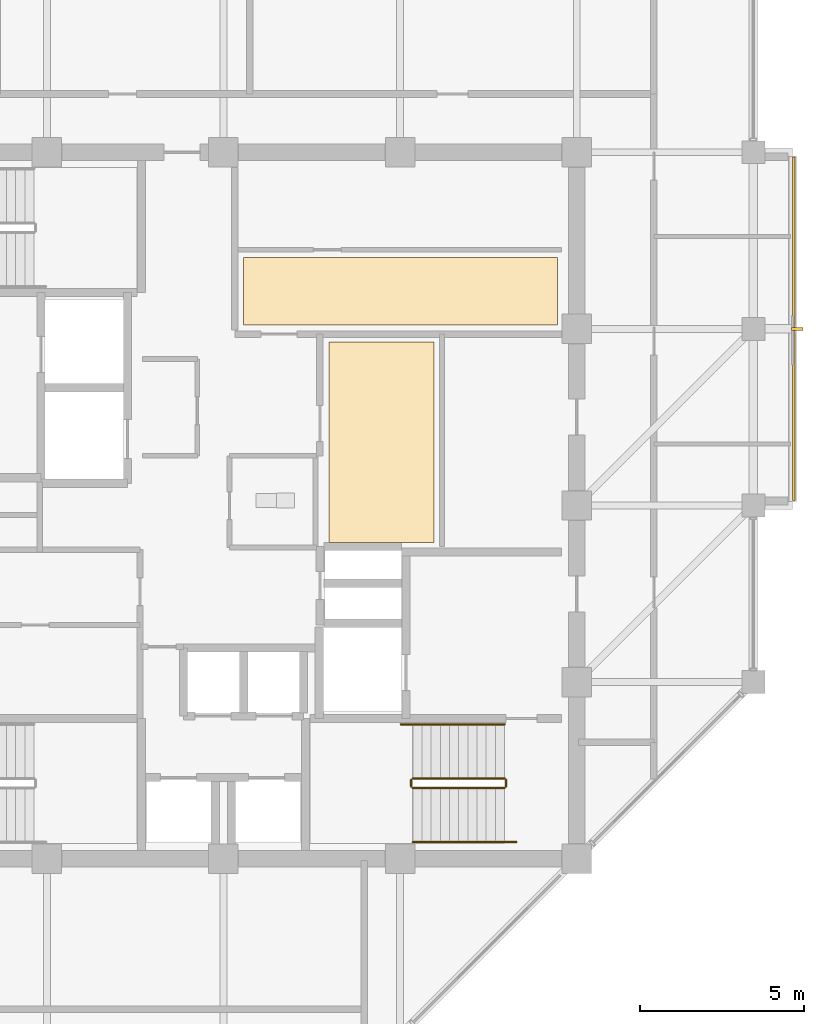
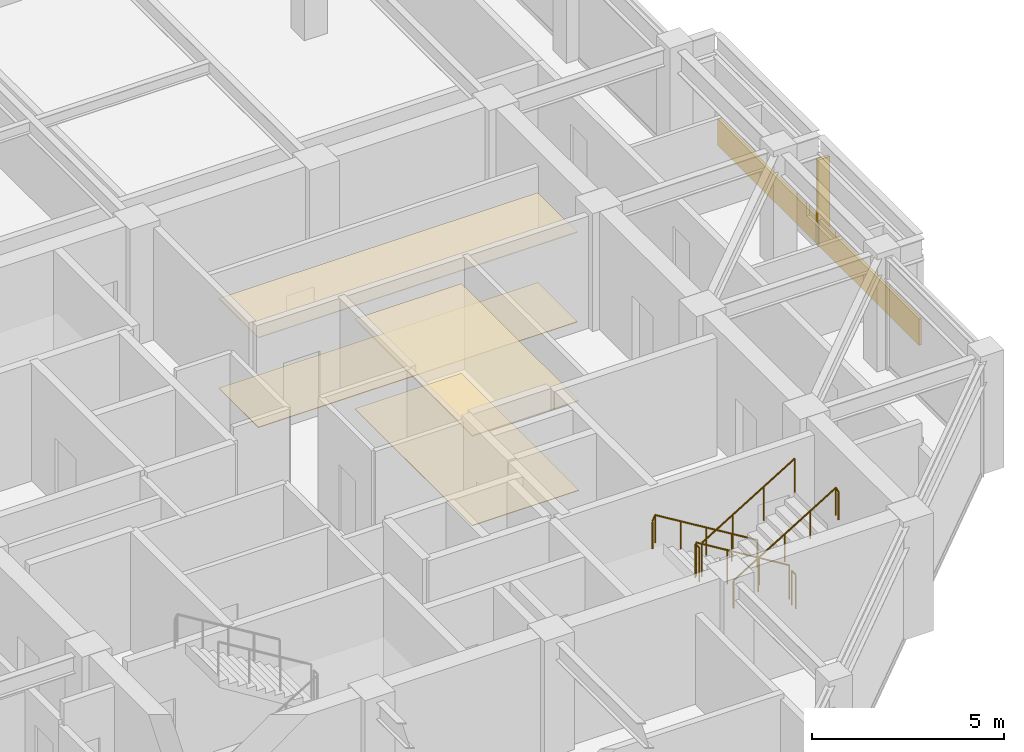
# One storey, part 28 of 29: 6 railings, 5 coverings, 1 shading device.
"""IFC4 building model written with IfcOpenShell, lengths in metres."""

import ifcopenshell
import ifcopenshell.guid

model = None  # the IFC model being written
_history = None  # IfcOwnerHistory: only IFC2X3 demands one
_inside = {}  # id of a spatial element -> (the spatial element, [elements in it])
_under = {}  # id of a project, library or spatial element -> (it, [spatial elements below it])
_declared = {}  # id of a project -> (the project, [libraries it declares])
_typed = {}  # id of a type object -> (the type object, [elements of that type])
_made_of = {}  # id of a material, layer set ... -> (it, [elements and type objects made of it])


def new_model(schema):
    """Start an empty IFC model of exactly this schema.

    Asked for "IFC4X3", IfcOpenShell would pick the latest addendum, in which some entities
    have other attributes; the version numbers below select the first issue.
    IFC2X3 requires an IfcOwnerHistory on every rooted entity: one is made here for all.
    """
    global model, _history
    if schema == "IFC4X3":
        model = ifcopenshell.file(schema_version=(4, 3, 0, 0))
    else:
        model = ifcopenshell.file(schema=schema)
    _inside.clear()
    _under.clear()
    _declared.clear()
    _typed.clear()
    _made_of.clear()
    _history = None
    if model.schema == "IFC2X3":
        org = make("IfcOrganization", Name="unknown")
        user = make(
            "IfcPersonAndOrganization",
            ThePerson=make("IfcPerson", FamilyName="unknown"),
            TheOrganization=org,
        )
        app = make(
            "IfcApplication",
            ApplicationDeveloper=org,
            Version="unknown",
            ApplicationFullName="unknown",
            ApplicationIdentifier="unknown",
        )
        _history = make(
            "IfcOwnerHistory",
            OwningUser=user,
            OwningApplication=app,
            ChangeAction="ADDED",
            CreationDate=0,
        )
    return model


def make(cls, **values):
    """One entity of the class cls with the attributes given. An attribute that is None is left unset."""
    return model.create_entity(
        cls, **{name: value for name, value in values.items() if value is not None}
    )


def rooted(cls, **values):
    """An entity with a GlobalId (a new one), such as an element, a storey or a relation."""
    return make(cls, GlobalId=ifcopenshell.guid.new(), OwnerHistory=_history, **values)


def si_unit(unit_type, name, prefix=None):
    """IfcSIUnit, for example si_unit("LENGTHUNIT", "METRE", prefix="MILLI")."""
    return make("IfcSIUnit", UnitType=unit_type, Prefix=prefix, Name=name)


def assignment(units):
    """IfcUnitAssignment: the units of a project."""
    return None if units is None else make("IfcUnitAssignment", Units=units)


def point(xyz):
    """IfcCartesianPoint."""
    return None if xyz is None else make("IfcCartesianPoint", Coordinates=xyz)


def direction(xyz):
    """IfcDirection."""
    return None if xyz is None else make("IfcDirection", DirectionRatios=xyz)


def frame(location, z_axis=None, x_axis=None):
    """IfcAxis2Placement3D, a coordinate frame: its origin and axes. An axis left out is left unset."""
    return make(
        "IfcAxis2Placement3D",
        Location=point(location),
        Axis=direction(z_axis),
        RefDirection=direction(x_axis),
    )


def frame_2d(location, x_axis=None):
    """IfcAxis2Placement2D, a coordinate frame in the plane: its origin and x axis."""
    return make(
        "IfcAxis2Placement2D", Location=point(location), RefDirection=direction(x_axis)
    )


def origin():
    """The frame at (0, 0, 0) with its axes left unset."""
    return frame((0.0, 0.0, 0.0))


def origin_2d():
    """The frame at (0, 0) in the plane with its x axis left unset."""
    return frame_2d((0.0, 0.0))


def place(relative_to, where):
    """IfcLocalPlacement: puts the frame where relative to a parent placement (None: the world)."""
    return make(
        "IfcLocalPlacement", PlacementRelTo=relative_to, RelativePlacement=where
    )


def context(
    kind, dimensions, precision=None, world=None, true_north=None, identifier=None
):
    """IfcGeometricRepresentationContext, for example the 3D "Model" context."""
    return make(
        "IfcGeometricRepresentationContext",
        ContextIdentifier=identifier,
        ContextType=kind,
        CoordinateSpaceDimension=dimensions,
        Precision=precision,
        WorldCoordinateSystem=world,
        TrueNorth=true_north,
    )


def subcontext(parent, identifier, kind, view, scale=None):
    """IfcGeometricRepresentationSubContext, for example "Body" below "Model"."""
    return make(
        "IfcGeometricRepresentationSubContext",
        ContextIdentifier=identifier,
        ContextType=kind,
        ParentContext=parent,
        TargetScale=scale,
        TargetView=view,
    )


def project(units=None, contexts=None):
    """IfcProject with its units and contexts."""
    return rooted(
        "IfcProject",
        Name="project",
        RepresentationContexts=contexts,
        UnitsInContext=assignment(units),
    )


def spatial(cls, under=None, at=None, **own):
    """A site, building, storey or space (cls), placed at a placement, below another one or the project."""
    s = rooted(cls, ObjectPlacement=at, **own)
    if under is not None:
        _under.setdefault(under.id(), (under, []))[1].append(s)
    return s


def polyline(points):
    """IfcPolyline through the points."""
    return make("IfcPolyline", Points=[point(p) for p in points])


def profile(cls, at=None, kind="AREA", **sizes):
    """A parametric profile (cls). Its sizes go by their IFC names, for example OverallWidth=200.0."""
    return make(cls, ProfileType=kind, Position=at, **sizes)


def rectangle(**sizes):
    """IfcRectangleProfileDef."""
    return profile("IfcRectangleProfileDef", **sizes)


def circle(**sizes):
    """IfcCircleProfileDef."""
    return profile("IfcCircleProfileDef", **sizes)


def outline(outer, holes=None, kind="AREA"):
    """IfcArbitraryClosedProfileDef: a profile drawn as a closed curve; with holes, ...WithVoids."""
    if holes is None:
        return make("IfcArbitraryClosedProfileDef", ProfileType=kind, OuterCurve=outer)
    return make(
        "IfcArbitraryProfileDefWithVoids",
        ProfileType=kind,
        OuterCurve=outer,
        InnerCurves=holes,
    )


def extrude(swept, where, along, depth):
    """IfcExtrudedAreaSolid: the profile swept, set in the frame where, extruded along a direction by depth."""
    return make(
        "IfcExtrudedAreaSolid",
        SweptArea=swept,
        Position=where,
        ExtrudedDirection=direction(along),
        Depth=depth,
    )


def shape(context_of_items, identifier, shape_type, items):
    """IfcShapeRepresentation: the items that make up one representation, for example the "Body"."""
    return make(
        "IfcShapeRepresentation",
        ContextOfItems=context_of_items,
        RepresentationIdentifier=identifier,
        RepresentationType=shape_type,
        Items=items,
    )


def material(Name=None, Category=None):
    """IfcMaterial."""
    return make("IfcMaterial", Name=Name, Category=Category)


def layer(
    of_material, thickness, ventilated=None, Name=None, Category=None, Priority=None
):
    """IfcMaterialLayer: one layer of a wall or slab, of a material (None: an air gap)."""
    return make(
        "IfcMaterialLayer",
        Material=of_material,
        LayerThickness=thickness,
        IsVentilated=ventilated,
        Name=Name,
        Category=Category,
        Priority=Priority,
    )


def layer_set(layers, Name=None):
    """IfcMaterialLayerSet."""
    return make("IfcMaterialLayerSet", MaterialLayers=layers, LayerSetName=Name)


def made_of(thing, what):
    """Note that an element or type object is made of a material, layer set ...; save() writes the relation."""
    if what is not None:
        _made_of.setdefault(what.id(), (what, []))[1].append(thing)
    return thing


def type_object(cls, material=None, **own):
    """A type object (cls), such as IfcWallType, which elements share."""
    return made_of(rooted(cls, **own), material)


def element(
    cls,
    number,
    at=None,
    inside=None,
    cuts=None,
    type_object=None,
    material=None,
    context=None,
    identifier="Body",
    shape_type=None,
    held_by="IfcProductDefinitionShape",
    body=None,
    shapes=None,
    **own,
):
    """One element of the class cls, such as IfcWall. Its Tag is "e" and its number.

    at: its placement. inside: the storey or other place that contains it. cuts: it is an
    opening in that element (IfcRelVoidsElement). A single representation is given by context,
    identifier, shape_type and body (its items); several are given by shapes. held_by: the class
    of the entity that holds the representations. save() writes the other relations.
    """
    e = rooted(cls, Tag="e%d" % number, ObjectPlacement=at, **own)
    if body is not None:
        shapes = [shape(context, identifier, shape_type, body)]
    if shapes is not None:
        e.Representation = make(held_by, Representations=shapes)
    if inside is not None:
        _inside.setdefault(inside.id(), (inside, []))[1].append(e)
    if cuts is not None:
        rooted(
            "IfcRelVoidsElement", RelatingBuildingElement=cuts, RelatedOpeningElement=e
        )
    if type_object is not None:
        _typed.setdefault(type_object.id(), (type_object, []))[1].append(e)
    return made_of(e, material)


def aggregate(whole, parts):
    """IfcRelAggregates: a whole, such as a stair, and the parts it consists of."""
    return rooted("IfcRelAggregates", RelatingObject=whole, RelatedObjects=parts)


def save(model, path):
    """Write the relations noted so far, then the file.

    IfcRelAggregates (storeys below a building ...), IfcRelContainedInSpatialStructure (elements
    in a storey), IfcRelDefinesByType, IfcRelAssociatesMaterial and IfcRelDeclares: one each for
    every whole, place, type object, material and project.
    """
    for whole, parts in _under.values():
        aggregate(whole, parts)
    for where, things in _inside.values():
        rooted(
            "IfcRelContainedInSpatialStructure",
            RelatedElements=things,
            RelatingStructure=where,
        )
    for kind, things in _typed.values():
        rooted("IfcRelDefinesByType", RelatedObjects=things, RelatingType=kind)
    for what, things in _made_of.values():
        rooted("IfcRelAssociatesMaterial", RelatedObjects=things, RelatingMaterial=what)
    for by, libraries in _declared.values():
        rooted("IfcRelDeclares", RelatingContext=by, RelatedDefinitions=libraries)
    model.write(path)


model = new_model("IFC4")

# Units and contexts
model_context = context("Model", 3, precision=1e-05, world=origin(), true_north=direction((0.0, 1.0)))
body_context = subcontext(model_context, "Body", "Model", "MODEL_VIEW")
ifc_project = project(units=[si_unit("LENGTHUNIT", "METRE"), si_unit("AREAUNIT", "SQUARE_METRE"), si_unit("VOLUMEUNIT", "CUBIC_METRE"), si_unit("PLANEANGLEUNIT", "RADIAN"), si_unit("MASSUNIT", "GRAM", prefix="KILO")], contexts=[model_context])

# Site, building, storey
site_placement = place(None, origin())
site = spatial("IfcSite", under=ifc_project, at=site_placement, CompositionType="ELEMENT")
building_placement = place(site_placement, origin())
building = spatial("IfcBuilding", under=site, at=building_placement, Name="Surkhivell Harbour Commons", CompositionType="ELEMENT")
storey_placement = place(building_placement, frame((0.0, 0.0, 273.75)))
storey = spatial("IfcBuildingStorey", under=building, at=storey_placement, Name="L71", CompositionType="ELEMENT", Elevation=273.75)

# Coverings
ifc_material_1 = material(Name="Perforated acoustic mineral-fibre ceiling tile", Category="other")
ifc_layer_1 = layer(ifc_material_1, 0.02490234375)
ifc_layer_set_1 = layer_set([ifc_layer_1], Name="Perforated acoustic mineral-fibre ceiling tile")
covering_type_1 = type_object("IfcCoveringType", Name="COV-CEIL-AC", PredefinedType="CEILING", material=ifc_layer_set_1)
covering_1_placement = place(storey_placement, frame((0.0, 0.0, 2.85205078125)))
element("IfcCovering", 1, at=covering_1_placement, inside=storey, type_object=covering_type_1, Name="L71 Suspended Acoustic Ceiling 1", PredefinedType="CEILING", context=body_context, shape_type="SweptSolid", body=[
    extrude(outline(polyline([(0.6201171875, 5.52001953125), (10.219970703125, 5.52001953125), (10.219970703125, 7.580078125), (0.6201171875, 7.580078125), (0.6201171875, 5.52001953125)])), origin(), (0.0, 0.0, 1.0), 0.02490234375),
])
ifc_material_2 = material(Name="Moisture-resistant gypsum acoustic ceiling board", Category="other")
ifc_layer_2 = layer(ifc_material_2, 0.030029296875)
ifc_layer_set_2 = layer_set([ifc_layer_2], Name="Moisture-resistant gypsum acoustic ceiling board")
covering_type_2 = type_object("IfcCoveringType", Name="COV-CEIL-GYP", PredefinedType="CEILING", material=ifc_layer_set_2)
covering_2_placement = place(storey_placement, frame((0.0, 0.0, 2.846923828125)))
element("IfcCovering", 2, at=covering_2_placement, inside=storey, type_object=covering_type_2, Name="L71 Suspended Acoustic Ceiling 2", PredefinedType="CEILING", context=body_context, shape_type="SweptSolid", body=[
    extrude(outline(polyline([(3.219970703125, -1.1298828125), (6.429931640625, -1.1298828125), (6.429931640625, 5.0), (3.219970703125, 5.0), (3.219970703125, -1.1298828125)])), origin(), (0.0, 0.0, 1.0), 0.030029296875),
])
ifc_material_3 = material(Name="Saffron-gold enamelled aluminium cassette panel", Category="aluminium")
ifc_layer_3 = layer(ifc_material_3, 0.070068359375)
ifc_layer_set_3 = layer_set([ifc_layer_3], Name="Saffron-gold enamelled aluminium cassette panel")
covering_type_3 = type_object("IfcCoveringType", Name="COV-CLAD-SAF", PredefinedType="CLADDING", material=ifc_layer_set_3)
covering_3_placement = place(storey_placement, frame((17.43994140625, 5.39990234375, 0.0), z_axis=(0.0, 0.0, 1.0), x_axis=(1.0, 0.0, 0.0)))
element("IfcCovering", 3, at=covering_3_placement, inside=storey, type_object=covering_type_3, Name="L71 Coloured-Panel Box Spandrel Cassette 01", PredefinedType="CLADDING", context=body_context, shape_type="SweptSolid", body=[
    extrude(rectangle(XDim=0.080078125, YDim=10.5, at=origin_2d()), origin(), (0.0, 0.0, 1.0), 0.840087890625),
])
ifc_material_4 = material(Name="Engineered acoustic oak timber flooring", Category="wood")
ifc_layer_4 = layer(ifc_material_4, 0.02001953125)
ifc_layer_set_4 = layer_set([ifc_layer_4], Name="Engineered acoustic oak timber flooring")
covering_type_4 = type_object("IfcCoveringType", Name="COV-FLR-TIM", PredefinedType="FLOORING", material=ifc_layer_set_4)
covering_4_placement = place(storey_placement, origin())
element("IfcCovering", 4, at=covering_4_placement, inside=storey, type_object=covering_type_4, Name="L71 Interior Floor Finish 1", PredefinedType="FLOORING", context=body_context, shape_type="SweptSolid", body=[
    extrude(outline(polyline([(0.6201171875, 5.52001953125), (10.219970703125, 5.52001953125), (10.219970703125, 7.580078125), (0.6201171875, 7.580078125), (0.6201171875, 5.52001953125)])), origin(), (0.0, 0.0, 1.0), 0.02001953125),
])
covering_5_placement = place(storey_placement, origin())
element("IfcCovering", 5, at=covering_5_placement, inside=storey, type_object=covering_type_4, Name="L71 Interior Floor Finish 2", PredefinedType="FLOORING", context=body_context, shape_type="SweptSolid", body=[
    extrude(outline(polyline([(3.219970703125, -1.1298828125), (6.429931640625, -1.1298828125), (6.429931640625, 5.0), (3.219970703125, 5.0), (3.219970703125, -1.1298828125)])), origin(), (0.0, 0.0, 1.0), 0.02001953125),
])

# Railings
ifc_material_5 = material(Name="Galvanised and painted steel S355 guard rail", Category="steel")
railing_type_1 = type_object("IfcRailingType", Name="RAL-ST-GRD1100", PredefinedType="GUARDRAIL", material=ifc_material_5)
railing_1_placement = place(storey_placement, frame((8.590087890625, -8.340087890625, 0.17041015625)))
element("IfcRailing", 6, at=railing_1_placement, inside=storey, type_object=railing_type_1, Name="L71 ST2 stair guard 1", PredefinedType="GUARDRAIL", context=body_context, shape_type="SweptSolid", body=[
    extrude(circle(Radius=0.02392578125, at=origin_2d()), frame((0.0, 0.0, 1.076171875), z_axis=(-0.854169791009, 0.0, 0.51999420009), x_axis=(0.0, -1.0, 0.0)), (0.0, 0.0, 1.0), 3.278076171875),
    extrude(circle(Radius=0.02099609375, at=origin_2d()), origin(), (0.0, 0.0, 1.0), 1.052001953125),
    extrude(circle(Radius=0.02099609375, at=origin_2d()), frame((-0.933349609375, 0.0, 0.568115234375)), (0.0, 0.0, 1.0), 1.052001953125),
    extrude(circle(Radius=0.02099609375, at=origin_2d()), frame((-1.86669921875, 0.0, 1.136474609375)), (0.0, 0.0, 1.0), 1.052001953125),
    extrude(circle(Radius=0.02099609375, at=origin_2d()), frame((-2.800048828125, 0.0, 1.70458984375)), (0.0, 0.0, 1.0), 1.052001953125),
])
railing_2_placement = place(storey_placement, frame((5.739990234375, -8.389892578125, 1.875)))
element("IfcRailing", 7, at=railing_2_placement, inside=storey, type_object=railing_type_1, Name="L71 ST2 stair guard 2", PredefinedType="GUARDRAIL", context=body_context, shape_type="SweptSolid", body=[
    extrude(circle(Radius=0.02392578125, at=origin_2d()), frame((0.0, 0.0, 1.076171875), z_axis=(0.0, -1.0, 0.0), x_axis=(1.0, 0.0, 0.0)), (0.0, 0.0, 1.0), 0.2001953125),
    extrude(circle(Radius=0.02099609375, at=origin_2d()), origin(), (0.0, 0.0, 1.0), 1.052001953125),
    extrude(circle(Radius=0.02099609375, at=origin_2d()), frame((0.0, -0.2001953125, 0.0)), (0.0, 0.0, 1.0), 1.052001953125),
])
railing_3_placement = place(storey_placement, frame((5.7900390625, -8.639892578125, 2.04541015625)))
element("IfcRailing", 8, at=railing_3_placement, inside=storey, type_object=railing_type_1, Name="L71 ST2 stair guard 3", PredefinedType="GUARDRAIL", context=body_context, shape_type="SweptSolid", body=[
    extrude(circle(Radius=0.02392578125, at=origin_2d()), frame((0.0, 0.0, 1.076171875), z_axis=(0.854169791009, 0.0, 0.51999420009), x_axis=(0.0, 1.0, 0.0)), (0.0, 0.0, 1.0), 3.278076171875),
    extrude(circle(Radius=0.02099609375, at=origin_2d()), origin(), (0.0, 0.0, 1.0), 1.052001953125),
    extrude(circle(Radius=0.02099609375, at=origin_2d()), frame((0.933349609375, 0.0, 0.568115234375)), (0.0, 0.0, 1.0), 1.052001953125),
    extrude(circle(Radius=0.02099609375, at=origin_2d()), frame((1.86669921875, 0.0, 1.136474609375)), (0.0, 0.0, 1.0), 1.052001953125),
    extrude(circle(Radius=0.02099609375, at=origin_2d()), frame((2.800048828125, 0.0, 1.70458984375)), (0.0, 0.0, 1.0), 1.052001953125),
])
railing_4_placement = place(storey_placement, frame((8.639892578125, -8.389892578125, 0.0)))
element("IfcRailing", 9, at=railing_4_placement, inside=storey, type_object=railing_type_1, Name="L71 ST2 stair guard 4", PredefinedType="GUARDRAIL", context=body_context, shape_type="SweptSolid", body=[
    extrude(circle(Radius=0.02392578125, at=origin_2d()), frame((0.0, 0.0, 1.076171875), z_axis=(0.0, -1.0, 0.0), x_axis=(1.0, 0.0, 0.0)), (0.0, 0.0, 1.0), 0.2001953125),
    extrude(circle(Radius=0.02099609375, at=origin_2d()), origin(), (0.0, 0.0, 1.0), 1.052001953125),
    extrude(circle(Radius=0.02099609375, at=origin_2d()), frame((0.0, -0.2001953125, 0.0)), (0.0, 0.0, 1.0), 1.052001953125),
])
ifc_material_6 = material(Name="Brushed stainless steel S355 handrail", Category="steel")
railing_type_2 = type_object("IfcRailingType", Name="RAL-ST-HND900", PredefinedType="HANDRAIL", material=ifc_material_6)
railing_5_placement = place(storey_placement, frame((8.590087890625, -6.68994140625, 0.17041015625)))
element("IfcRailing", 10, at=railing_5_placement, inside=storey, type_object=railing_type_2, Name="L71 ST2 stair handrail 1", PredefinedType="HANDRAIL", context=body_context, shape_type="SweptSolid", body=[
    extrude(circle(Radius=0.02392578125, at=origin_2d()), frame((0.0, 0.0, 0.8759765625), z_axis=(-0.854177636135, 0.0, 0.519981313056), x_axis=(0.0, -1.0, 0.0)), (0.0, 0.0, 1.0), 3.60595703125),
    extrude(circle(Radius=0.02392578125, at=origin_2d()), frame((-3.080078125, 0.0, 2.7509765625), z_axis=(-0.425297416671, 0.0, -0.905053648892), x_axis=(0.0, -1.0, 0.0)), (0.0, 0.0, 1.0), 0.188232421875),
    extrude(circle(Radius=0.02099609375, at=origin_2d()), origin(), (0.0, 0.0, 1.0), 0.851806640625),
    extrude(circle(Radius=0.02099609375, at=origin_2d()), frame((-0.77001953125, 0.0, 0.46875)), (0.0, 0.0, 1.0), 0.851806640625),
    extrude(circle(Radius=0.02099609375, at=origin_2d()), frame((-1.5400390625, 0.0, 0.9375)), (0.0, 0.0, 1.0), 0.851806640625),
    extrude(circle(Radius=0.02099609375, at=origin_2d()), frame((-2.31005859375, 0.0, 1.40625)), (0.0, 0.0, 1.0), 0.851806640625),
    extrude(circle(Radius=0.02099609375, at=origin_2d()), frame((-3.080078125, 0.0, 1.875)), (0.0, 0.0, 1.0), 0.851806640625),
    extrude(circle(Radius=0.02099609375, at=origin_2d()), frame((-3.16015625, 0.0, 1.70458984375)), (0.0, 0.0, 1.0), 0.851806640625),
])
railing_6_placement = place(storey_placement, frame((5.7900390625, -10.2900390625, 2.04541015625)))
element("IfcRailing", 11, at=railing_6_placement, inside=storey, type_object=railing_type_2, Name="L71 ST2 stair handrail 2", PredefinedType="HANDRAIL", context=body_context, shape_type="SweptSolid", body=[
    extrude(circle(Radius=0.02392578125, at=origin_2d()), frame((0.0, 0.0, 0.8759765625), z_axis=(0.854177636135, 0.0, 0.519981313056), x_axis=(0.0, 1.0, 0.0)), (0.0, 0.0, 1.0), 3.60595703125),
    extrude(circle(Radius=0.02392578125, at=origin_2d()), frame((3.080078125, 0.0, 2.7509765625), z_axis=(0.424234432967, 0.0, -0.905552398199), x_axis=(0.0, 1.0, 0.0)), (0.0, 0.0, 1.0), 0.188232421875),
    extrude(circle(Radius=0.02099609375, at=origin_2d()), origin(), (0.0, 0.0, 1.0), 0.851806640625),
    extrude(circle(Radius=0.02099609375, at=origin_2d()), frame((0.77001953125, 0.0, 0.46875)), (0.0, 0.0, 1.0), 0.851806640625),
    extrude(circle(Radius=0.02099609375, at=origin_2d()), frame((1.5400390625, 0.0, 0.9375)), (0.0, 0.0, 1.0), 0.851806640625),
    extrude(circle(Radius=0.02099609375, at=origin_2d()), frame((2.31005859375, 0.0, 1.40625)), (0.0, 0.0, 1.0), 0.851806640625),
    extrude(circle(Radius=0.02099609375, at=origin_2d()), frame((3.080078125, 0.0, 1.875)), (0.0, 0.0, 1.0), 0.851806640625),
    extrude(circle(Radius=0.02099609375, at=origin_2d()), frame((3.159912109375, 0.0, 1.70458984375)), (0.0, 0.0, 1.0), 0.851806640625),
])

# Shading device
ifc_material_7 = material(Name="Anodised pale-metal aluminium solar fin", Category="aluminium")
shading_device_type = type_object("IfcShadingDeviceType", Name="SHD-FIN-VERT", PredefinedType="USERDEFINED", material=ifc_material_7)
shading_device_placement = place(storey_placement, frame((17.5400390625, 5.39990234375, 0.0048828125), z_axis=(0.0, 0.0, 1.0), x_axis=(1.0, 0.0, 0.0)))
element("IfcShadingDevice", 12, at=shading_device_placement, inside=storey, type_object=shading_device_type, Name="L71 Coloured-Box Solar Fin 01", ObjectType="FIN", PredefinedType="USERDEFINED", context=body_context, shape_type="SweptSolid", body=[
    extrude(rectangle(XDim=0.360107421875, YDim=0.090087890625, at=origin_2d()), origin(), (0.0, 0.0, 1.0), 2.75),
])

save(model, "model.ifc")
